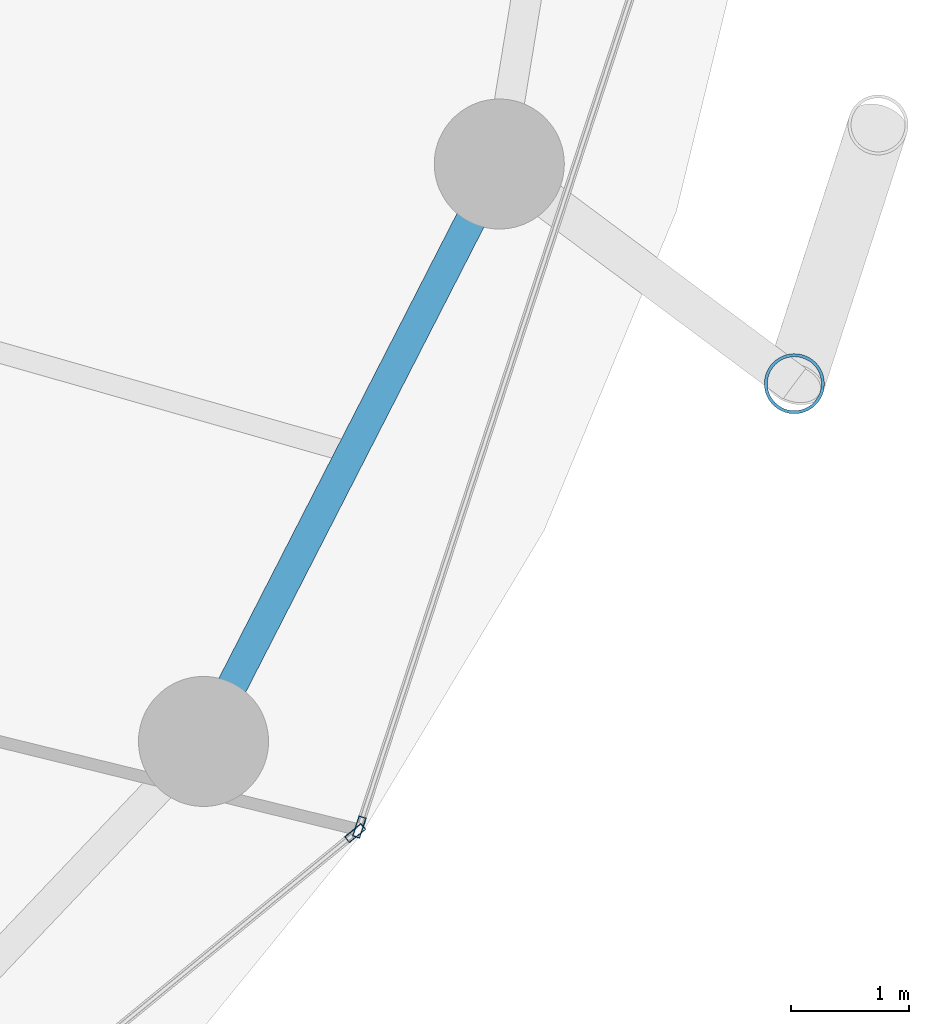
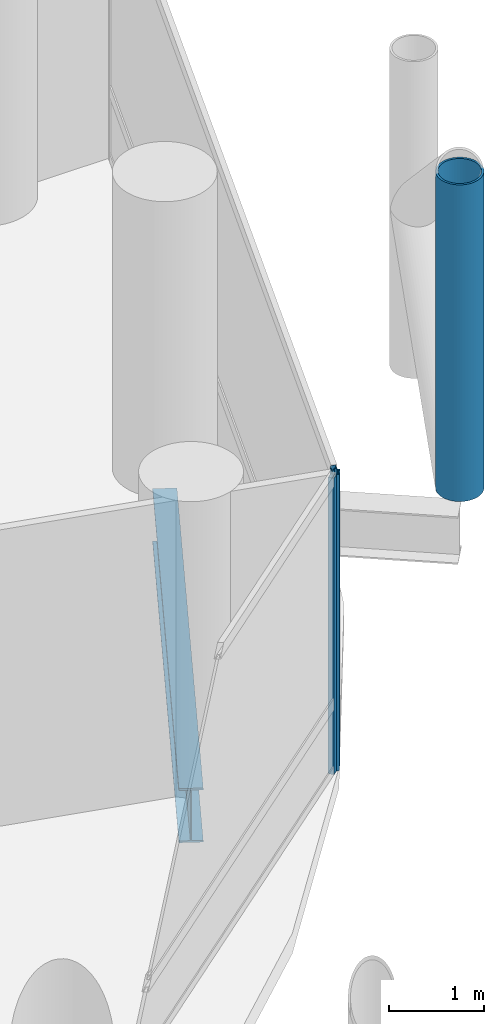
# One storey, part 10 of 24: 3 members, 1 beam, 2 elements without a shape of their own.
"""IFC4 building model written with IfcOpenShell, lengths in metres."""

from ifc_helpers import new_model, si_unit, direction, frame, origin, origin_2d, place, context, subcontext, project, spatial, hollow_rectangle, hollow_circle, i_section, extrude, material, layer, layer_set, material_profile, profile_set, type_object, element, aggregate, save


model = new_model("IFC4")

# Units and contexts
model_context = context("Model", 3, precision=1e-05, world=origin(), true_north=direction((0.0, 1.0)))
body_context = subcontext(model_context, "Body", "Model", "MODEL_VIEW")
ifc_project = project(units=[si_unit("LENGTHUNIT", "METRE"), si_unit("AREAUNIT", "SQUARE_METRE"), si_unit("VOLUMEUNIT", "CUBIC_METRE"), si_unit("PLANEANGLEUNIT", "RADIAN"), si_unit("MASSUNIT", "GRAM", prefix="KILO")], contexts=[model_context])

# Site, building, storey
site_placement = place(None, origin())
site = spatial("IfcSite", under=ifc_project, at=site_placement, CompositionType="ELEMENT")
building_placement = place(site_placement, origin())
building = spatial("IfcBuilding", under=site, at=building_placement, Name="Nuhasar Tower", CompositionType="ELEMENT")
storey_placement = place(building_placement, frame((0.0, 0.0, 37.199951171875)))
storey = spatial("IfcBuildingStorey", under=building, at=storey_placement, Name="L08", CompositionType="ELEMENT", Elevation=37.199951171875)

# Beam
ifc_material_1 = material(Name="Steel S355", Category="steel")
ifc_material_profile_1 = material_profile(ifc_material_1, i_section(OverallWidth=0.256103515625, OverallDepth=0.693115234375, WebThickness=0.014404296875, FlangeThickness=0.023681640625, at=origin_2d()), Name="W27X114")
ifc_profile_set_1 = profile_set([ifc_material_profile_1], Name="Steel S355")
beam_type = type_object("IfcBeamType", Name="BM-RING-W27X114", PredefinedType="SPANDREL", material=ifc_profile_set_1)
beam_placement = place(storey_placement, frame((60.694091796875, 16.675048828125, -0.60693359375), z_axis=(0.455930023905, 0.890015625314, 0.0), x_axis=(-0.890015625314, 0.455930023905, 0.0)))
element("IfcBeam", 1, at=beam_placement, inside=storey, type_object=beam_type, Name="L08 Perimeter Ring Spandrel 23", PredefinedType="SPANDREL", context=body_context, shape_type="SweptSolid", body=[
    extrude(i_section(OverallWidth=0.256103515625, OverallDepth=0.693115234375, WebThickness=0.014404296875, FlangeThickness=0.023681640625, at=origin_2d()), origin(), (0.0, 0.0, 1.0), 5.487548828125),
])

# Curtain wall, member
ifc_material_2 = material(Name="Aluminium 6063-T6", Category="aluminium")
ifc_layer = layer(ifc_material_2, 0.199951171875)
ifc_layer_set = layer_set([ifc_layer], Name="Aluminium 6063-T6")
curtain_wall_type = type_object("IfcCurtainWallType", Name="CW-Z1-OFF", PredefinedType="NOTDEFINED", material=ifc_layer_set)
curtain_wall_1_placement = place(storey_placement, origin())
curtain_wall_1 = element("IfcCurtainWall", 2, at=curtain_wall_1_placement, inside=storey, type_object=curtain_wall_type, Name="L08 Unitised Curtain Wall 11", PredefinedType="NOTDEFINED")
ifc_material_profile_2 = material_profile(ifc_material_2, hollow_rectangle(XDim=0.06494140625, YDim=0.179931640625, WallThickness=0.0048828125, at=origin_2d()), Name="CWM-2")
ifc_profile_set_2 = profile_set([ifc_material_profile_2], Name="Aluminium 6063-T6")
member_type_1 = type_object("IfcMemberType", Name="CW-MUL-S2", PredefinedType="MULLION", material=ifc_profile_set_2)
member_1_placement = place(storey_placement, frame((61.976806640625, 15.8994140625, 0.0), z_axis=(0.0, 0.0, 1.0), x_axis=(-0.633744593376, 0.773542364946, 0.0)))
member_1 = element("IfcMember", 3, at=member_1_placement, type_object=member_type_1, Name="CW-Z1 mullion 2", PredefinedType="MULLION", context=body_context, shape_type="SweptSolid", body=[
    extrude(hollow_rectangle(XDim=0.06494140625, YDim=0.179931640625, WallThickness=0.0048828125, at=origin_2d()), origin(), (0.0, 0.0, 1.0), 3.7900390625),
])
aggregate(curtain_wall_1, [member_1])

curtain_wall_2_placement = place(storey_placement, origin())
curtain_wall_2 = element("IfcCurtainWall", 4, at=curtain_wall_2_placement, inside=storey, type_object=curtain_wall_type, Name="L08 Unitised Curtain Wall 12", PredefinedType="NOTDEFINED")
member_2_placement = place(storey_placement, frame((62.01220703125, 15.950927734375, 0.0), z_axis=(0.0, 0.0, 1.0), x_axis=(-0.950467534571, 0.310823849997, 0.0)))
member_2 = element("IfcMember", 5, at=member_2_placement, type_object=member_type_1, Name="CW-Z1 mullion 1", PredefinedType="MULLION", context=body_context, shape_type="SweptSolid", body=[
    extrude(hollow_rectangle(XDim=0.06494140625, YDim=0.179931640625, WallThickness=0.0048828125, at=origin_2d()), origin(), (0.0, 0.0, 1.0), 3.7900390625),
])
aggregate(curtain_wall_2, [member_2])

# Member
ifc_material_3 = material(Name="Steel S460", Category="steel")
ifc_material_profile_3 = material_profile(ifc_material_3, hollow_circle(Radius=0.25390625, WallThickness=0.025390625, at=origin_2d()), Name="HSS508X25.4")
ifc_profile_set_3 = profile_set([ifc_material_profile_3], Name="Steel S460")
member_type_2 = type_object("IfcMemberType", Name="EXO-BRONZE-508", PredefinedType="BRACE", material=ifc_profile_set_3)
member_3_placement = place(storey_placement, frame((65.69189453125, 19.700927734375, 0.0), z_axis=(0.0, 0.0, 1.0), x_axis=(1.0, 0.0, 0.0)))
element("IfcMember", 6, at=member_3_placement, inside=storey, type_object=member_type_2, Name="L08 Exoskeleton Chord Column EC-12A", PredefinedType="BRACE", context=body_context, shape_type="SweptSolid", body=[
    extrude(hollow_circle(Radius=0.25390625, WallThickness=0.025390625, at=origin_2d()), origin(), (0.0, 0.0, 1.0), 4.050048828125),
])

save(model, "model.ifc")
